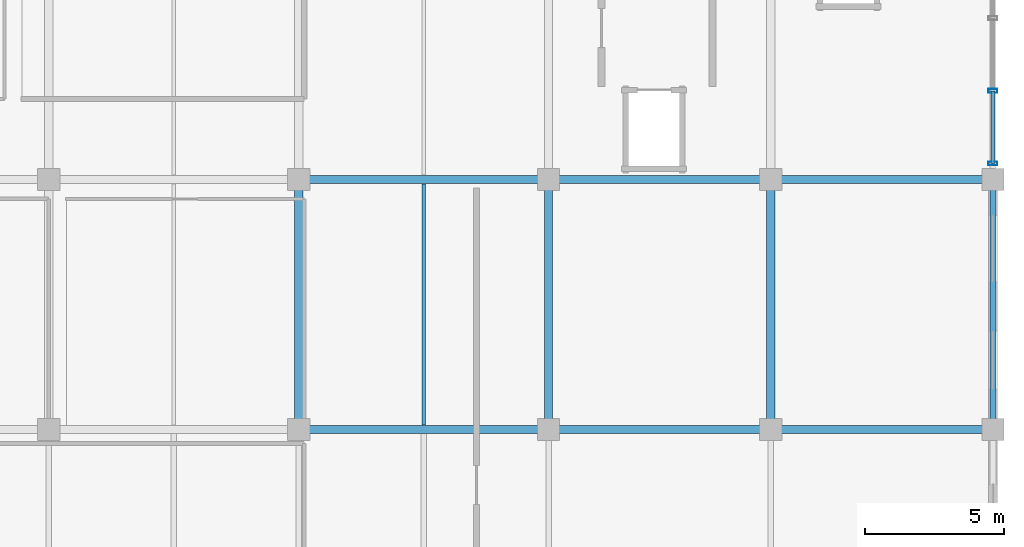
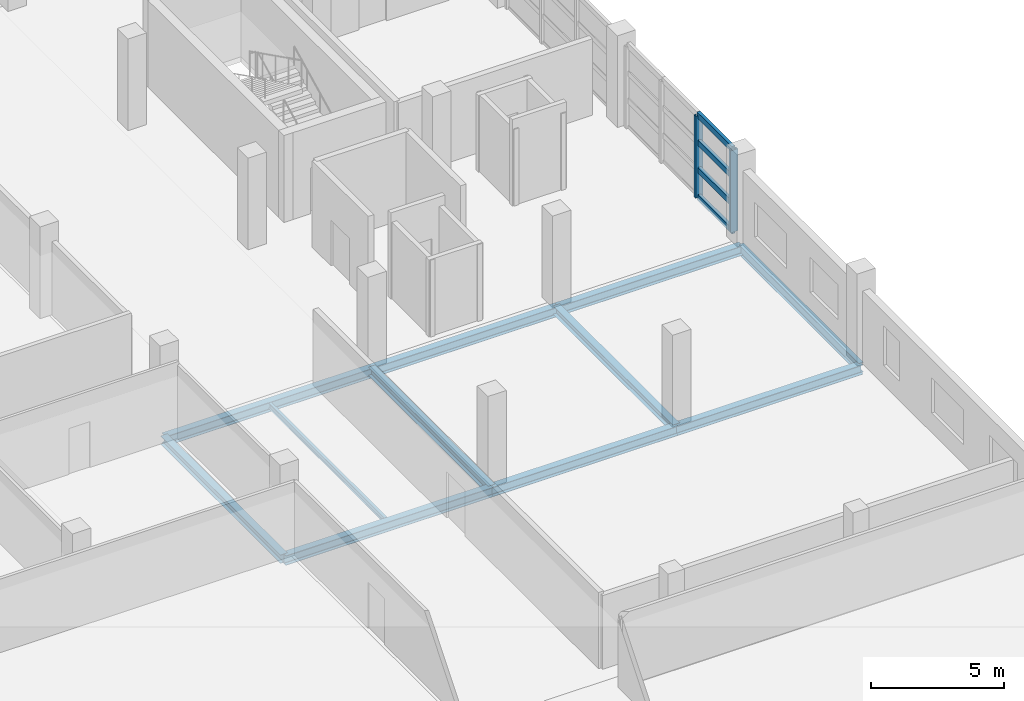
# One storey, part 83 of 136: 11 beams, 6 members, 1 element without a shape of its own.
"""IFC4 building model written with IfcOpenShell, lengths in metres."""

import ifcopenshell
import ifcopenshell.guid

model = None  # the IFC model being written
_history = None  # IfcOwnerHistory: only IFC2X3 demands one
_inside = {}  # id of a spatial element -> (the spatial element, [elements in it])
_under = {}  # id of a project, library or spatial element -> (it, [spatial elements below it])
_declared = {}  # id of a project -> (the project, [libraries it declares])
_typed = {}  # id of a type object -> (the type object, [elements of that type])
_made_of = {}  # id of a material, layer set ... -> (it, [elements and type objects made of it])


def new_model(schema):
    """Start an empty IFC model of exactly this schema.

    Asked for "IFC4X3", IfcOpenShell would pick the latest addendum, in which some entities
    have other attributes; the version numbers below select the first issue.
    IFC2X3 requires an IfcOwnerHistory on every rooted entity: one is made here for all.
    """
    global model, _history
    if schema == "IFC4X3":
        model = ifcopenshell.file(schema_version=(4, 3, 0, 0))
    else:
        model = ifcopenshell.file(schema=schema)
    _inside.clear()
    _under.clear()
    _declared.clear()
    _typed.clear()
    _made_of.clear()
    _history = None
    if model.schema == "IFC2X3":
        org = make("IfcOrganization", Name="unknown")
        user = make(
            "IfcPersonAndOrganization",
            ThePerson=make("IfcPerson", FamilyName="unknown"),
            TheOrganization=org,
        )
        app = make(
            "IfcApplication",
            ApplicationDeveloper=org,
            Version="unknown",
            ApplicationFullName="unknown",
            ApplicationIdentifier="unknown",
        )
        _history = make(
            "IfcOwnerHistory",
            OwningUser=user,
            OwningApplication=app,
            ChangeAction="ADDED",
            CreationDate=0,
        )
    return model


def make(cls, **values):
    """One entity of the class cls with the attributes given. An attribute that is None is left unset."""
    return model.create_entity(
        cls, **{name: value for name, value in values.items() if value is not None}
    )


def rooted(cls, **values):
    """An entity with a GlobalId (a new one), such as an element, a storey or a relation."""
    return make(cls, GlobalId=ifcopenshell.guid.new(), OwnerHistory=_history, **values)


def si_unit(unit_type, name, prefix=None):
    """IfcSIUnit, for example si_unit("LENGTHUNIT", "METRE", prefix="MILLI")."""
    return make("IfcSIUnit", UnitType=unit_type, Prefix=prefix, Name=name)


def assignment(units):
    """IfcUnitAssignment: the units of a project."""
    return None if units is None else make("IfcUnitAssignment", Units=units)


def point(xyz):
    """IfcCartesianPoint."""
    return None if xyz is None else make("IfcCartesianPoint", Coordinates=xyz)


def direction(xyz):
    """IfcDirection."""
    return None if xyz is None else make("IfcDirection", DirectionRatios=xyz)


def frame(location, z_axis=None, x_axis=None):
    """IfcAxis2Placement3D, a coordinate frame: its origin and axes. An axis left out is left unset."""
    return make(
        "IfcAxis2Placement3D",
        Location=point(location),
        Axis=direction(z_axis),
        RefDirection=direction(x_axis),
    )


def frame_2d(location, x_axis=None):
    """IfcAxis2Placement2D, a coordinate frame in the plane: its origin and x axis."""
    return make(
        "IfcAxis2Placement2D", Location=point(location), RefDirection=direction(x_axis)
    )


def origin():
    """The frame at (0, 0, 0) with its axes left unset."""
    return frame((0.0, 0.0, 0.0))


def origin_2d():
    """The frame at (0, 0) in the plane with its x axis left unset."""
    return frame_2d((0.0, 0.0))


def place(relative_to, where):
    """IfcLocalPlacement: puts the frame where relative to a parent placement (None: the world)."""
    return make(
        "IfcLocalPlacement", PlacementRelTo=relative_to, RelativePlacement=where
    )


def context(
    kind, dimensions, precision=None, world=None, true_north=None, identifier=None
):
    """IfcGeometricRepresentationContext, for example the 3D "Model" context."""
    return make(
        "IfcGeometricRepresentationContext",
        ContextIdentifier=identifier,
        ContextType=kind,
        CoordinateSpaceDimension=dimensions,
        Precision=precision,
        WorldCoordinateSystem=world,
        TrueNorth=true_north,
    )


def subcontext(parent, identifier, kind, view, scale=None):
    """IfcGeometricRepresentationSubContext, for example "Body" below "Model"."""
    return make(
        "IfcGeometricRepresentationSubContext",
        ContextIdentifier=identifier,
        ContextType=kind,
        ParentContext=parent,
        TargetScale=scale,
        TargetView=view,
    )


def project(units=None, contexts=None):
    """IfcProject with its units and contexts."""
    return rooted(
        "IfcProject",
        Name="project",
        RepresentationContexts=contexts,
        UnitsInContext=assignment(units),
    )


def spatial(cls, under=None, at=None, **own):
    """A site, building, storey or space (cls), placed at a placement, below another one or the project."""
    s = rooted(cls, ObjectPlacement=at, **own)
    if under is not None:
        _under.setdefault(under.id(), (under, []))[1].append(s)
    return s


def profile(cls, at=None, kind="AREA", **sizes):
    """A parametric profile (cls). Its sizes go by their IFC names, for example OverallWidth=200.0."""
    return make(cls, ProfileType=kind, Position=at, **sizes)


def hollow_rectangle(**sizes):
    """IfcRectangleHollowProfileDef."""
    return profile("IfcRectangleHollowProfileDef", **sizes)


def i_section(**sizes):
    """IfcIShapeProfileDef."""
    return profile("IfcIShapeProfileDef", **sizes)


def extrude(swept, where, along, depth):
    """IfcExtrudedAreaSolid: the profile swept, set in the frame where, extruded along a direction by depth."""
    return make(
        "IfcExtrudedAreaSolid",
        SweptArea=swept,
        Position=where,
        ExtrudedDirection=direction(along),
        Depth=depth,
    )


def shape(context_of_items, identifier, shape_type, items):
    """IfcShapeRepresentation: the items that make up one representation, for example the "Body"."""
    return make(
        "IfcShapeRepresentation",
        ContextOfItems=context_of_items,
        RepresentationIdentifier=identifier,
        RepresentationType=shape_type,
        Items=items,
    )


def material(Name=None, Category=None):
    """IfcMaterial."""
    return make("IfcMaterial", Name=Name, Category=Category)


def material_profile(
    of_material, cross_section, Name=None, Category=None, Priority=None
):
    """IfcMaterialProfile: a cross section and its material."""
    return make(
        "IfcMaterialProfile",
        Name=Name,
        Material=of_material,
        Profile=cross_section,
        Priority=Priority,
        Category=Category,
    )


def profile_set(profiles, Name=None, composite=None):
    """IfcMaterialProfileSet."""
    return make(
        "IfcMaterialProfileSet",
        Name=Name,
        MaterialProfiles=profiles,
        CompositeProfile=composite,
    )


def made_of(thing, what):
    """Note that an element or type object is made of a material, layer set ...; save() writes the relation."""
    if what is not None:
        _made_of.setdefault(what.id(), (what, []))[1].append(thing)
    return thing


def type_object(cls, material=None, **own):
    """A type object (cls), such as IfcWallType, which elements share."""
    return made_of(rooted(cls, **own), material)


def element(
    cls,
    number,
    at=None,
    inside=None,
    cuts=None,
    type_object=None,
    material=None,
    context=None,
    identifier="Body",
    shape_type=None,
    held_by="IfcProductDefinitionShape",
    body=None,
    shapes=None,
    **own,
):
    """One element of the class cls, such as IfcWall. Its Tag is "e" and its number.

    at: its placement. inside: the storey or other place that contains it. cuts: it is an
    opening in that element (IfcRelVoidsElement). A single representation is given by context,
    identifier, shape_type and body (its items); several are given by shapes. held_by: the class
    of the entity that holds the representations. save() writes the other relations.
    """
    e = rooted(cls, Tag="e%d" % number, ObjectPlacement=at, **own)
    if body is not None:
        shapes = [shape(context, identifier, shape_type, body)]
    if shapes is not None:
        e.Representation = make(held_by, Representations=shapes)
    if inside is not None:
        _inside.setdefault(inside.id(), (inside, []))[1].append(e)
    if cuts is not None:
        rooted(
            "IfcRelVoidsElement", RelatingBuildingElement=cuts, RelatedOpeningElement=e
        )
    if type_object is not None:
        _typed.setdefault(type_object.id(), (type_object, []))[1].append(e)
    return made_of(e, material)


def aggregate(whole, parts):
    """IfcRelAggregates: a whole, such as a stair, and the parts it consists of."""
    return rooted("IfcRelAggregates", RelatingObject=whole, RelatedObjects=parts)


def save(model, path):
    """Write the relations noted so far, then the file.

    IfcRelAggregates (storeys below a building ...), IfcRelContainedInSpatialStructure (elements
    in a storey), IfcRelDefinesByType, IfcRelAssociatesMaterial and IfcRelDeclares: one each for
    every whole, place, type object, material and project.
    """
    for whole, parts in _under.values():
        aggregate(whole, parts)
    for where, things in _inside.values():
        rooted(
            "IfcRelContainedInSpatialStructure",
            RelatedElements=things,
            RelatingStructure=where,
        )
    for kind, things in _typed.values():
        rooted("IfcRelDefinesByType", RelatedObjects=things, RelatingType=kind)
    for what, things in _made_of.values():
        rooted("IfcRelAssociatesMaterial", RelatedObjects=things, RelatingMaterial=what)
    for by, libraries in _declared.values():
        rooted("IfcRelDeclares", RelatingContext=by, RelatedDefinitions=libraries)
    model.write(path)


model = new_model("IFC4")

# Units and contexts
model_context = context("Model", 3, precision=1e-05, world=origin(), true_north=direction((0.0, 1.0)))
body_context = subcontext(model_context, "Body", "Model", "MODEL_VIEW")
ifc_project = project(units=[si_unit("LENGTHUNIT", "METRE"), si_unit("AREAUNIT", "SQUARE_METRE"), si_unit("VOLUMEUNIT", "CUBIC_METRE"), si_unit("PLANEANGLEUNIT", "RADIAN"), si_unit("MASSUNIT", "GRAM", prefix="KILO")], contexts=[model_context])

# Site, building, storey
site_placement = place(None, origin())
site = spatial("IfcSite", under=ifc_project, at=site_placement, CompositionType="ELEMENT")
building_placement = place(site_placement, origin())
building = spatial("IfcBuilding", under=site, at=building_placement, Name="Chuanluo Vaults Station", CompositionType="ELEMENT")
storey_placement = place(building_placement, frame((0.0, 0.0, 6.60009765625)))
storey = spatial("IfcBuildingStorey", under=building, at=storey_placement, Name="L01", CompositionType="ELEMENT", Elevation=6.60009765625)

# Beams
ifc_material_1 = material(Name="Steel Q355C", Category="steel")
ifc_material_profile_1 = material_profile(ifc_material_1, i_section(OverallWidth=0.300048828125, OverallDepth=0.389892578125, WebThickness=0.010009765625, FlangeThickness=0.01611328125, FilletRadius=0.02001953125, at=origin_2d()))
ifc_profile_set_1 = profile_set([ifc_material_profile_1], Name="Steel Q355C")
beam_type_1 = type_object("IfcBeamType", Name="BM-GRD-400", PredefinedType="BEAM", material=ifc_profile_set_1)
for number, where, z_axis, x_axis, name in (
    (1, (163.0, 67.5, -0.43505859375), (0.0, 1.0, 0.0), (-1.0, 0.0, 0.0), "Floor girder BM:GY:L01:0494"),
    (2, (172.0, 67.5, -0.43505859375), (0.0, 1.0, 0.0), (-1.0, 0.0, 0.0), "Floor girder BM:GY:L01:0506"),
    (3, (180.0, 67.5, -0.43505859375), (0.0, 1.0, 0.0), (-1.0, 0.0, 0.0), "Floor girder BM:GY:L01:0517"),
):
    element("IfcBeam", number, at=place(storey_placement, frame(where, z_axis=z_axis, x_axis=x_axis)), inside=storey, type_object=beam_type_1, Name=name, PredefinedType="BEAM", context=body_context, shape_type="SweptSolid", body=[
        extrude(i_section(OverallWidth=0.300048828125, OverallDepth=0.389892578125, WebThickness=0.010009765625, FlangeThickness=0.01611328125, FilletRadius=0.02001953125, at=origin_2d()), origin(), (0.0, 0.0, 1.0), 9.0),
    ])
ifc_material_2 = material(Name="Steel Q355C", Category="steel")
ifc_material_profile_2 = material_profile(ifc_material_2, i_section(OverallWidth=0.300048828125, OverallDepth=0.43994140625, WebThickness=0.010986328125, FlangeThickness=0.01806640625, FilletRadius=0.02001953125, at=origin_2d()))
ifc_profile_set_2 = profile_set([ifc_material_profile_2], Name="Steel Q355C")
beam_type_2 = type_object("IfcBeamType", Name="BM-GRD-450", PredefinedType="USERDEFINED", material=ifc_profile_set_2)
beam_1_placement = place(storey_placement, frame((163.0, 67.5, -0.460205078125), z_axis=(1.0, 0.0, 0.0), x_axis=(0.0, 1.0, 0.0)))
element("IfcBeam", 4, at=beam_1_placement, inside=storey, type_object=beam_type_2, Name="Floor girder BM:GX:L01:0342", ObjectType="GIRDER", PredefinedType="USERDEFINED", context=body_context, shape_type="SweptSolid", body=[
    extrude(i_section(OverallWidth=0.300048828125, OverallDepth=0.43994140625, WebThickness=0.010986328125, FlangeThickness=0.01806640625, FilletRadius=0.02001953125, at=origin_2d()), origin(), (0.0, 0.0, 1.0), 9.0),
])
for number, where, z_axis, x_axis, name in (
    (5, (172.0, 67.5, -0.460205078125), (1.0, 0.0, 0.0), (0.0, 1.0, 0.0), "Floor girder BM:GX:L01:0343"),
    (6, (180.0, 67.5, -0.460205078125), (1.0, 0.0, 0.0), (0.0, 1.0, 0.0), "Floor girder BM:GX:L01:0344"),
):
    element("IfcBeam", number, at=place(storey_placement, frame(where, z_axis=z_axis, x_axis=x_axis)), inside=storey, type_object=beam_type_2, Name=name, ObjectType="GIRDER", PredefinedType="USERDEFINED", context=body_context, shape_type="SweptSolid", body=[
        extrude(i_section(OverallWidth=0.300048828125, OverallDepth=0.43994140625, WebThickness=0.010986328125, FlangeThickness=0.01806640625, FilletRadius=0.02001953125, at=origin_2d()), origin(), (0.0, 0.0, 1.0), 8.0),
    ])
beam_2_placement = place(storey_placement, frame((163.0, 76.5, -0.460205078125), z_axis=(1.0, 0.0, 0.0), x_axis=(0.0, 1.0, 0.0)))
element("IfcBeam", 7, at=beam_2_placement, inside=storey, type_object=beam_type_2, Name="Floor girder BM:GX:L01:0348", ObjectType="GIRDER", PredefinedType="USERDEFINED", context=body_context, shape_type="SweptSolid", body=[
    extrude(i_section(OverallWidth=0.300048828125, OverallDepth=0.43994140625, WebThickness=0.010986328125, FlangeThickness=0.01806640625, FilletRadius=0.02001953125, at=origin_2d()), origin(), (0.0, 0.0, 1.0), 9.0),
])
for number, where, z_axis, x_axis, name in (
    (8, (172.0, 76.5, -0.460205078125), (1.0, 0.0, 0.0), (0.0, 1.0, 0.0), "Floor girder BM:GX:L01:0349"),
    (9, (180.0, 76.5, -0.460205078125), (1.0, 0.0, 0.0), (0.0, 1.0, 0.0), "Floor girder BM:GX:L01:0350"),
):
    element("IfcBeam", number, at=place(storey_placement, frame(where, z_axis=z_axis, x_axis=x_axis)), inside=storey, type_object=beam_type_2, Name=name, ObjectType="GIRDER", PredefinedType="USERDEFINED", context=body_context, shape_type="SweptSolid", body=[
        extrude(i_section(OverallWidth=0.300048828125, OverallDepth=0.43994140625, WebThickness=0.010986328125, FlangeThickness=0.01806640625, FilletRadius=0.02001953125, at=origin_2d()), origin(), (0.0, 0.0, 1.0), 8.0),
    ])
ifc_material_3 = material(Name="Steel Q355C", Category="steel")
ifc_material_profile_3 = material_profile(ifc_material_3, i_section(OverallWidth=0.125, OverallDepth=0.25, WebThickness=0.006103515625, FlangeThickness=0.009033203125, FilletRadius=0.011962890625, at=origin_2d()))
ifc_profile_set_3 = profile_set([ifc_material_profile_3], Name="Steel Q355C")
beam_type_3 = type_object("IfcBeamType", Name="BM-SEC-250", PredefinedType="JOIST", material=ifc_profile_set_3)
beam_3_placement = place(storey_placement, frame((167.5, 67.655029296875, -0.364990234375), z_axis=(0.0, 1.0, 0.0), x_axis=(-1.0, 0.0, 0.0)))
element("IfcBeam", 10, at=beam_3_placement, inside=storey, type_object=beam_type_3, Name="Composite secondary joist 0181", PredefinedType="JOIST", context=body_context, shape_type="SweptSolid", body=[
    extrude(i_section(OverallWidth=0.125, OverallDepth=0.25, WebThickness=0.006103515625, FlangeThickness=0.009033203125, FilletRadius=0.011962890625, at=origin_2d()), origin(), (0.0, 0.0, 1.0), 8.68994140625),
])
ifc_material_4 = material(Name="Steel Q355C", Category="steel")
ifc_material_profile_4 = material_profile(ifc_material_4, i_section(OverallWidth=0.205078125, OverallDepth=0.4599609375, WebThickness=0.009033203125, FlangeThickness=0.013916015625, FilletRadius=0.01611328125, at=origin_2d()))
ifc_profile_set_4 = profile_set([ifc_material_profile_4], Name="Steel Q355C")
beam_type_4 = type_object("IfcBeamType", Name="BM-SPN-450", PredefinedType="SPANDREL", material=ifc_profile_set_4)
beam_4_placement = place(storey_placement, frame((188.0, 67.5, -0.47021484375), z_axis=(0.0, 1.0, 0.0), x_axis=(-1.0, 0.0, 0.0)))
element("IfcBeam", 11, at=beam_4_placement, inside=storey, type_object=beam_type_4, Name="Floor girder BM:GY:L01:0529", PredefinedType="SPANDREL", context=body_context, shape_type="SweptSolid", body=[
    extrude(i_section(OverallWidth=0.205078125, OverallDepth=0.4599609375, WebThickness=0.009033203125, FlangeThickness=0.013916015625, FilletRadius=0.01611328125, at=origin_2d()), origin(), (0.0, 0.0, 1.0), 9.0),
])

# Curtain wall, members
ifc_material_5 = material(Name="Anodised aluminium 6063-T6", Category="aluminium")
curtain_wall_type = type_object("IfcCurtainWallType", Name="CW-SYS-25", PredefinedType="NOTDEFINED", material=ifc_material_5)
curtain_wall_placement = place(storey_placement, origin())
curtain_wall = element("IfcCurtainWall", 12, at=curtain_wall_placement, inside=storey, type_object=curtain_wall_type, Name="Operations L01 facade CW", PredefinedType="NOTDEFINED")
ifc_material_6 = material(Name="Anodised aluminium 6063-T6", Category="aluminium")
ifc_material_profile_5 = material_profile(ifc_material_6, hollow_rectangle(XDim=0.139892578125, YDim=0.320068359375, WallThickness=0.008056640625, at=origin_2d()))
ifc_profile_set_5 = profile_set([ifc_material_profile_5], Name="Anodised aluminium 6063-T6")
member_type_1 = type_object("IfcMemberType", Name="CWM-220", PredefinedType="MULLION", material=ifc_profile_set_5)
member_1_placement = place(storey_placement, frame((188.0, 79.691650390625, 0.0), z_axis=(0.0, 0.0, 1.0), x_axis=(0.0, -1.0, 0.0)))
member_1 = element("IfcMember", 13, at=member_1_placement, type_object=member_type_1, Name="Operations L01 facade CW mullion 3", PredefinedType="MULLION", context=body_context, shape_type="SweptSolid", body=[
    extrude(hollow_rectangle(XDim=0.139892578125, YDim=0.320068359375, WallThickness=0.008056640625, at=origin_2d()), origin(), (0.0, 0.0, 1.0), 3.75),
])
member_2_placement = place(storey_placement, frame((188.0, 77.074951171875, 0.0), z_axis=(0.0, 0.0, 1.0), x_axis=(0.0, -1.0, 0.0)))
member_2 = element("IfcMember", 14, at=member_2_placement, type_object=member_type_1, Name="Operations L01 facade CW mullion 4", PredefinedType="MULLION", context=body_context, shape_type="SweptSolid", body=[
    extrude(hollow_rectangle(XDim=0.139892578125, YDim=0.320068359375, WallThickness=0.008056640625, at=origin_2d()), origin(), (0.0, 0.0, 1.0), 3.75),
])
ifc_material_7 = material(Name="Anodised aluminium 6063-T6", Category="aluminium")
ifc_material_profile_6 = material_profile(ifc_material_7, hollow_rectangle(XDim=0.139892578125, YDim=0.260009765625, WallThickness=0.007080078125, at=origin_2d()))
ifc_profile_set_6 = profile_set([ifc_material_profile_6], Name="Anodised aluminium 6063-T6")
member_type_2 = type_object("IfcMemberType", Name="CWT-180", PredefinedType="USERDEFINED", material=ifc_profile_set_6)
member_3_placement = place(storey_placement, frame((188.0, 79.691650390625, 0.0), z_axis=(0.0, -1.0, 0.0), x_axis=(1.0, 0.0, 0.0)))
member_3 = element("IfcMember", 15, at=member_3_placement, type_object=member_type_2, Name="Operations L01 facade CW transom 3.1", ObjectType="TRANSOM", PredefinedType="USERDEFINED", context=body_context, shape_type="SweptSolid", body=[
    extrude(hollow_rectangle(XDim=0.139892578125, YDim=0.260009765625, WallThickness=0.007080078125, at=origin_2d()), origin(), (0.0, 0.0, 1.0), 2.61669921875),
])
member_4_placement = place(storey_placement, frame((188.0, 79.691650390625, 1.25), z_axis=(0.0, -1.0, 0.0), x_axis=(1.0, 0.0, 0.0)))
member_4 = element("IfcMember", 16, at=member_4_placement, type_object=member_type_2, Name="Operations L01 facade CW transom 3.2", ObjectType="TRANSOM", PredefinedType="USERDEFINED", context=body_context, shape_type="SweptSolid", body=[
    extrude(hollow_rectangle(XDim=0.139892578125, YDim=0.260009765625, WallThickness=0.007080078125, at=origin_2d()), origin(), (0.0, 0.0, 1.0), 2.61669921875),
])
member_5_placement = place(storey_placement, frame((188.0, 79.691650390625, 2.5), z_axis=(0.0, -1.0, 0.0), x_axis=(1.0, 0.0, 0.0)))
member_5 = element("IfcMember", 17, at=member_5_placement, type_object=member_type_2, Name="Operations L01 facade CW transom 3.3", ObjectType="TRANSOM", PredefinedType="USERDEFINED", context=body_context, shape_type="SweptSolid", body=[
    extrude(hollow_rectangle(XDim=0.139892578125, YDim=0.260009765625, WallThickness=0.007080078125, at=origin_2d()), origin(), (0.0, 0.0, 1.0), 2.61669921875),
])
member_6_placement = place(storey_placement, frame((188.0, 79.691650390625, 3.75), z_axis=(0.0, -1.0, 0.0), x_axis=(1.0, 0.0, 0.0)))
member_6 = element("IfcMember", 18, at=member_6_placement, type_object=member_type_2, Name="Operations L01 facade CW transom 3.4", ObjectType="TRANSOM", PredefinedType="USERDEFINED", context=body_context, shape_type="SweptSolid", body=[
    extrude(hollow_rectangle(XDim=0.139892578125, YDim=0.260009765625, WallThickness=0.007080078125, at=origin_2d()), origin(), (0.0, 0.0, 1.0), 2.61669921875),
])
aggregate(curtain_wall, [member_1, member_2, member_3, member_4, member_5, member_6])

save(model, "model.ifc")
